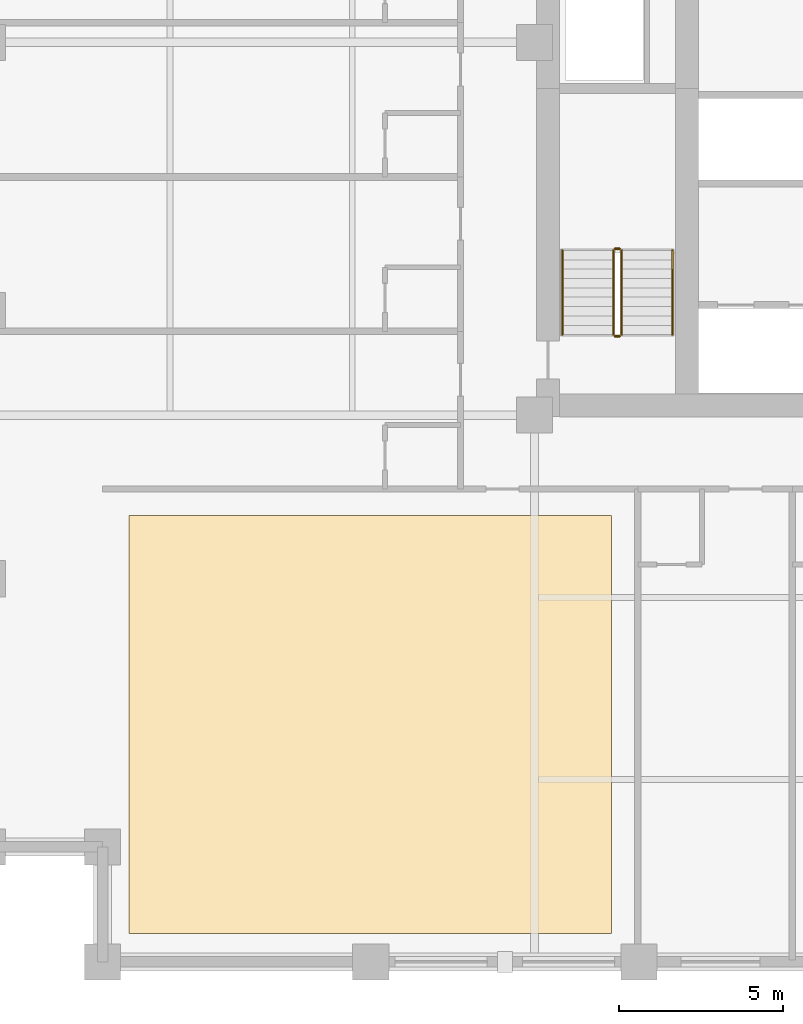
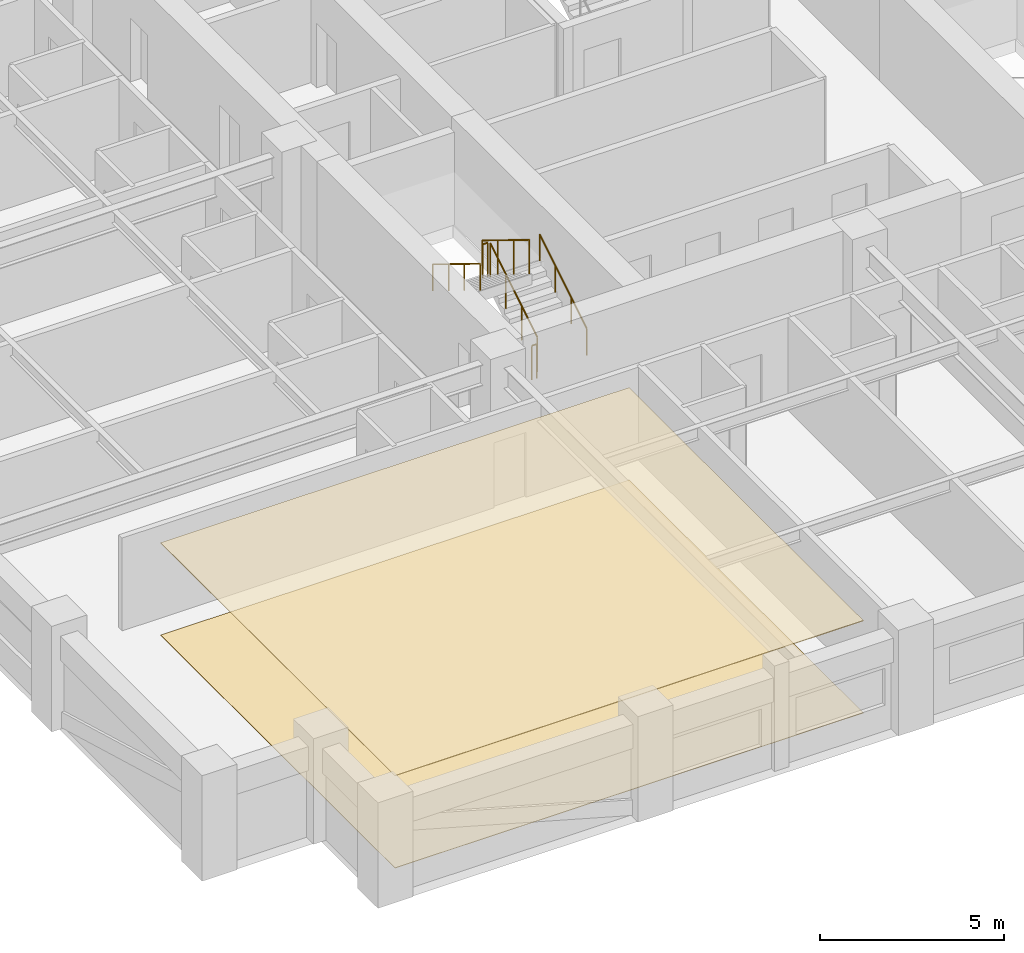
# One storey, part 8 of 12: 6 railings, 2 coverings.
"""IFC4 building model written with IfcOpenShell, lengths in metres."""

from ifc_helpers import new_model, si_unit, direction, frame, origin, origin_2d, place, context, subcontext, project, spatial, polyline, circle, outline, extrude, material, layer, layer_set, type_object, element, save


model = new_model("IFC4")

# Units and contexts
model_context = context("Model", 3, precision=1e-05, world=origin(), true_north=direction((0.0, 1.0)))
body_context = subcontext(model_context, "Body", "Model", "MODEL_VIEW")
ifc_project = project(units=[si_unit("LENGTHUNIT", "METRE"), si_unit("AREAUNIT", "SQUARE_METRE"), si_unit("VOLUMEUNIT", "CUBIC_METRE"), si_unit("PLANEANGLEUNIT", "RADIAN"), si_unit("MASSUNIT", "GRAM", prefix="KILO")], contexts=[model_context])

# Site, building, storey
site_placement = place(None, origin())
site = spatial("IfcSite", under=ifc_project, at=site_placement, CompositionType="ELEMENT")
building_placement = place(site_placement, origin())
building = spatial("IfcBuilding", under=site, at=building_placement, Name="Nhamokura Convention Tower", CompositionType="ELEMENT")
storey_placement = place(building_placement, frame((0.0, 0.0, 38.85009765625)))
storey = spatial("IfcBuildingStorey", under=building, at=storey_placement, Name="L07", CompositionType="ELEMENT", Elevation=38.85009765625)

# Covering
ifc_material_1 = material(Name="Mineral-fibre acoustic ceiling tile", Category="gypsum")
ifc_layer_1 = layer(ifc_material_1, 0.02490234375)
ifc_layer_set_1 = layer_set([ifc_layer_1], Name="AcousticTileCeiling_25")
covering_type_1 = type_object("IfcCoveringType", Name="AcousticTileCeiling_25", PredefinedType="CEILING", material=ifc_layer_set_1)
covering_1_placement = place(storey_placement, frame((0.0, 0.0, 3.054931640625)))
element("IfcCovering", 1, at=covering_1_placement, inside=storey, type_object=covering_type_1, Name="L07 Suspended Ceiling 01", PredefinedType="CEILING", context=body_context, shape_type="SweptSolid", body=[
    extrude(outline(polyline([(8.300048828125, 4.860107421875), (23.0, 4.860107421875), (23.0, 17.60009765625), (8.300048828125, 17.60009765625), (8.300048828125, 4.860107421875)])), origin(), (0.0, 0.0, 1.0), 0.02490234375),
])

# Railings
ifc_material_2 = material(Name="Anodised bronze stainless steel", Category="steel")
railing_type_1 = type_object("IfcRailingType", Name="StairWallHandrail_900", PredefinedType="HANDRAIL", material=ifc_material_2)
railing_1_placement = place(storey_placement, frame((24.85009765625, 23.10009765625, 0.1748046875)))
element("IfcRailing", 2, at=railing_1_placement, inside=storey, type_object=railing_type_1, Name="L07 ST-01 stair handrail 1", PredefinedType="HANDRAIL", context=body_context, shape_type="SweptSolid", body=[
    extrude(circle(Radius=0.02392578125, at=origin_2d()), frame((0.0, 0.0, 0.8759765625), z_axis=(0.0, 0.85213695991, 0.523318833556), x_axis=(-1.0, 0.0, 0.0)), (0.0, 0.0, 1.0), 3.010009765625),
    extrude(circle(Radius=0.02099609375, at=origin_2d()), origin(), (0.0, 0.0, 1.0), 0.851806640625),
    extrude(circle(Radius=0.02099609375, at=origin_2d()), frame((0.0, 0.85498046875, 0.525146484375)), (0.0, 0.0, 1.0), 0.851806640625),
    extrude(circle(Radius=0.02099609375, at=origin_2d()), frame((0.0, 1.7099609375, 1.050048828125)), (0.0, 0.0, 1.0), 0.851806640625),
    extrude(circle(Radius=0.02099609375, at=origin_2d()), frame((0.0, 2.56494140625, 1.5751953125)), (0.0, 0.0, 1.0), 0.851806640625),
])
railing_2_placement = place(storey_placement, frame((21.5, 25.6650390625, 1.9248046875)))
element("IfcRailing", 3, at=railing_2_placement, inside=storey, type_object=railing_type_1, Name="L07 ST-01 stair handrail 2", PredefinedType="HANDRAIL", context=body_context, shape_type="SweptSolid", body=[
    extrude(circle(Radius=0.02392578125, at=origin_2d()), frame((0.0, 0.0, 0.8759765625), z_axis=(0.0, -0.85213695991, 0.523318833556), x_axis=(1.0, 0.0, 0.0)), (0.0, 0.0, 1.0), 3.010009765625),
    extrude(circle(Radius=0.02099609375, at=origin_2d()), origin(), (0.0, 0.0, 1.0), 0.851806640625),
    extrude(circle(Radius=0.02099609375, at=origin_2d()), frame((0.0, -0.85498046875, 0.525146484375)), (0.0, 0.0, 1.0), 0.851806640625),
    extrude(circle(Radius=0.02099609375, at=origin_2d()), frame((0.0, -1.7099609375, 1.050048828125)), (0.0, 0.0, 1.0), 0.851806640625),
    extrude(circle(Radius=0.02099609375, at=origin_2d()), frame((0.0, -2.56494140625, 1.5751953125)), (0.0, 0.0, 1.0), 0.851806640625),
])
ifc_material_3 = material(Name="Painted tubular steel", Category="steel")
railing_type_2 = type_object("IfcRailingType", Name="StairWellGuardrail_1150", PredefinedType="GUARDRAIL", material=ifc_material_3)
railing_3_placement = place(storey_placement, frame((23.300048828125, 23.10009765625, 0.1748046875)))
element("IfcRailing", 4, at=railing_3_placement, inside=storey, type_object=railing_type_2, Name="L07 ST-01 stair guard 1", PredefinedType="GUARDRAIL", context=body_context, shape_type="SweptSolid", body=[
    extrude(circle(Radius=0.02392578125, at=origin_2d()), frame((0.0, 0.0, 1.1259765625), z_axis=(0.0, 0.85213695991, 0.523318833556), x_axis=(-1.0, 0.0, 0.0)), (0.0, 0.0, 1.0), 3.010009765625),
    extrude(circle(Radius=0.02099609375, at=origin_2d()), origin(), (0.0, 0.0, 1.0), 1.101806640625),
    extrude(circle(Radius=0.02099609375, at=origin_2d()), frame((0.0, 0.85498046875, 0.525146484375)), (0.0, 0.0, 1.0), 1.101806640625),
    extrude(circle(Radius=0.02099609375, at=origin_2d()), frame((0.0, 1.7099609375, 1.050048828125)), (0.0, 0.0, 1.0), 1.101806640625),
    extrude(circle(Radius=0.02099609375, at=origin_2d()), frame((0.0, 2.56494140625, 1.5751953125)), (0.0, 0.0, 1.0), 1.101806640625),
])
railing_4_placement = place(storey_placement, frame((23.25, 25.715087890625, 1.75)))
element("IfcRailing", 5, at=railing_4_placement, inside=storey, type_object=railing_type_2, Name="L07 ST-01 stair guard 2", PredefinedType="GUARDRAIL", context=body_context, shape_type="SweptSolid", body=[
    extrude(circle(Radius=0.02392578125, at=origin_2d()), frame((0.0, 0.0, 1.1259765625), z_axis=(-1.0, 0.0, 0.0), x_axis=(0.0, -1.0, 0.0)), (0.0, 0.0, 1.0), 0.14990234375),
    extrude(circle(Radius=0.02099609375, at=origin_2d()), origin(), (0.0, 0.0, 1.0), 1.101806640625),
    extrude(circle(Radius=0.02099609375, at=origin_2d()), frame((-0.14990234375, 0.0, 0.0)), (0.0, 0.0, 1.0), 1.101806640625),
])
railing_5_placement = place(storey_placement, frame((23.050048828125, 25.6650390625, 1.9248046875)))
element("IfcRailing", 6, at=railing_5_placement, inside=storey, type_object=railing_type_2, Name="L07 ST-01 stair guard 3", PredefinedType="GUARDRAIL", context=body_context, shape_type="SweptSolid", body=[
    extrude(circle(Radius=0.02392578125, at=origin_2d()), frame((0.0, 0.0, 1.1259765625), z_axis=(0.0, -0.85213695991, 0.523318833556), x_axis=(1.0, 0.0, 0.0)), (0.0, 0.0, 1.0), 3.010009765625),
    extrude(circle(Radius=0.02099609375, at=origin_2d()), origin(), (0.0, 0.0, 1.0), 1.101806640625),
    extrude(circle(Radius=0.02099609375, at=origin_2d()), frame((0.0, -0.85498046875, 0.525146484375)), (0.0, 0.0, 1.0), 1.101806640625),
    extrude(circle(Radius=0.02099609375, at=origin_2d()), frame((0.0, -1.7099609375, 1.050048828125)), (0.0, 0.0, 1.0), 1.101806640625),
    extrude(circle(Radius=0.02099609375, at=origin_2d()), frame((0.0, -2.56494140625, 1.5751953125)), (0.0, 0.0, 1.0), 1.101806640625),
])
railing_6_placement = place(storey_placement, frame((23.25, 23.050048828125, 0.0)))
element("IfcRailing", 7, at=railing_6_placement, inside=storey, type_object=railing_type_2, Name="L07 ST-01 stair guard 4", PredefinedType="GUARDRAIL", context=body_context, shape_type="SweptSolid", body=[
    extrude(circle(Radius=0.02392578125, at=origin_2d()), frame((0.0, 0.0, 1.1259765625), z_axis=(-1.0, 0.0, 0.0), x_axis=(0.0, -1.0, 0.0)), (0.0, 0.0, 1.0), 0.14990234375),
    extrude(circle(Radius=0.02099609375, at=origin_2d()), origin(), (0.0, 0.0, 1.0), 1.101806640625),
    extrude(circle(Radius=0.02099609375, at=origin_2d()), frame((-0.14990234375, 0.0, 0.0)), (0.0, 0.0, 1.0), 1.101806640625),
])

# Covering
ifc_material_4 = material(Name="Acoustic woven hospitality carpet", Category="wood")
ifc_layer_2 = layer(ifc_material_4, 0.014892578125)
ifc_layer_set_2 = layer_set([ifc_layer_2], Name="WovenCarpetFlooring_15")
covering_type_2 = type_object("IfcCoveringType", Name="WovenCarpetFlooring_15", PredefinedType="FLOORING", material=ifc_layer_set_2)
covering_2_placement = place(storey_placement, origin())
element("IfcCovering", 8, at=covering_2_placement, inside=storey, type_object=covering_type_2, Name="L07 Finish Flooring 01", PredefinedType="FLOORING", context=body_context, shape_type="SweptSolid", body=[
    extrude(outline(polyline([(8.300048828125, 4.860107421875), (23.0, 4.860107421875), (23.0, 17.60009765625), (8.300048828125, 17.60009765625), (8.300048828125, 4.860107421875)])), origin(), (0.0, 0.0, 1.0), 0.014892578125),
])

save(model, "model.ifc")
